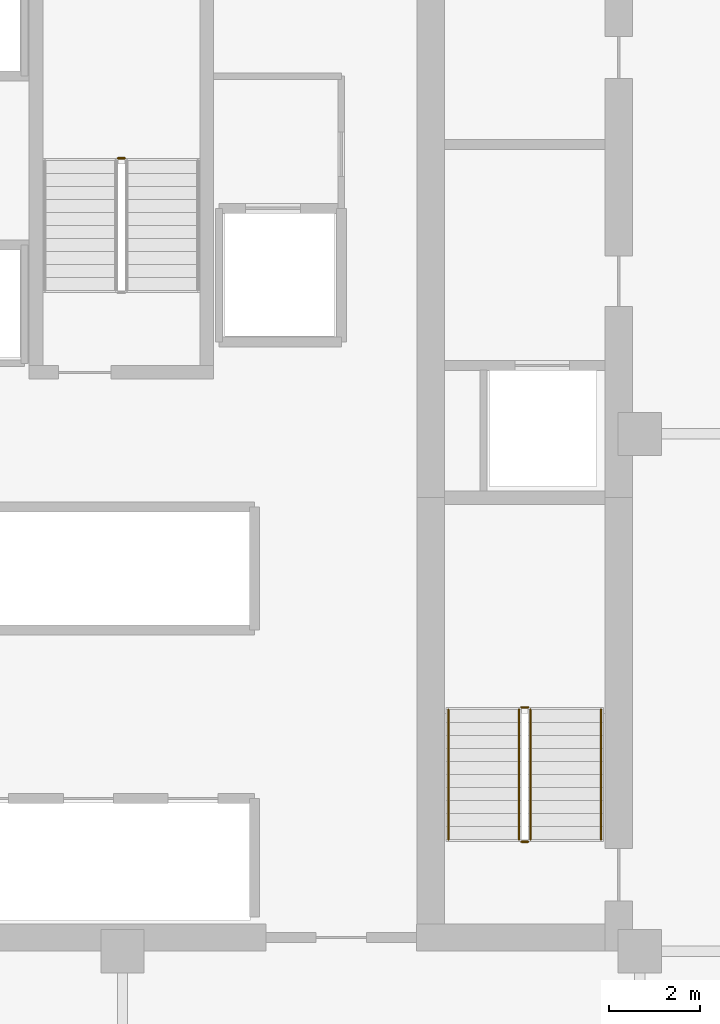
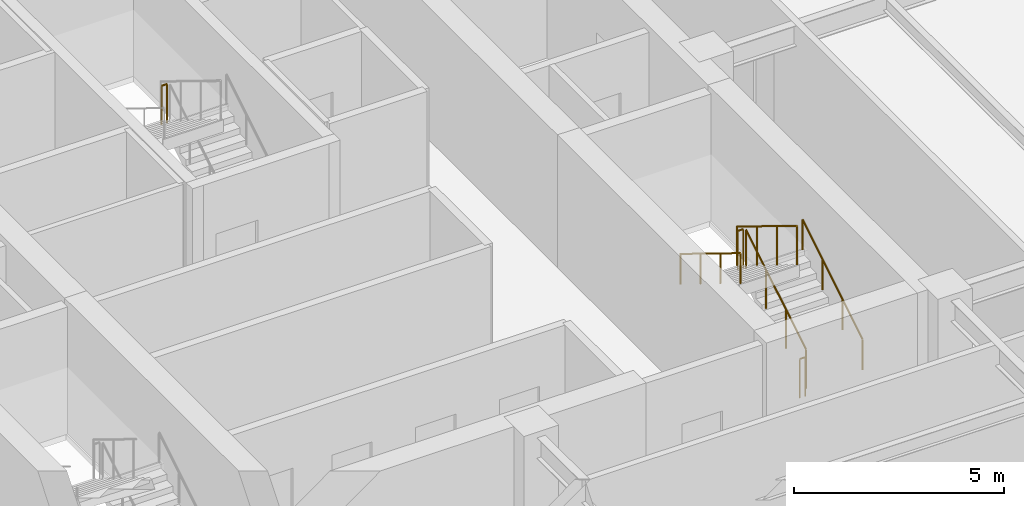
# One storey, part 11 of 11: 7 railings.
"""IFC4 building model written with IfcOpenShell, lengths in metres."""

from ifc_helpers import new_model, si_unit, direction, frame, origin, origin_2d, place, context, subcontext, project, spatial, circle, extrude, material, type_object, element, save


model = new_model("IFC4")

# Units and contexts
model_context = context("Model", 3, precision=1e-05, world=origin(), true_north=direction((0.0, 1.0)))
body_context = subcontext(model_context, "Body", "Model", "MODEL_VIEW")
ifc_project = project(units=[si_unit("LENGTHUNIT", "METRE"), si_unit("AREAUNIT", "SQUARE_METRE"), si_unit("VOLUMEUNIT", "CUBIC_METRE"), si_unit("PLANEANGLEUNIT", "RADIAN"), si_unit("MASSUNIT", "GRAM", prefix="KILO")], contexts=[model_context])

# Site, building, storey
site_placement = place(None, origin())
site = spatial("IfcSite", under=ifc_project, at=site_placement, CompositionType="ELEMENT")
building_placement = place(site_placement, origin())
building = spatial("IfcBuilding", under=site, at=building_placement, Name="Nhamokura Convention Tower", CompositionType="ELEMENT")
storey_placement = place(building_placement, frame((0.0, 0.0, 168.35009765625)))
storey = spatial("IfcBuildingStorey", under=building, at=storey_placement, Name="L41", CompositionType="ELEMENT", Elevation=168.35009765625)

# Railings
ifc_material_1 = material(Name="Anodised bronze stainless steel", Category="steel")
railing_type_1 = type_object("IfcRailingType", Name="StairWallHandrail_900", PredefinedType="HANDRAIL", material=ifc_material_1)
railing_1_placement = place(storey_placement, frame((42.5, 23.10009765625, 0.1748046875)))
element("IfcRailing", 1, at=railing_1_placement, inside=storey, type_object=railing_type_1, Name="L41 ST-02 stair handrail 1", PredefinedType="HANDRAIL", context=body_context, shape_type="SweptSolid", body=[
    extrude(circle(Radius=0.02392578125, at=origin_2d()), frame((0.0, 0.0, 0.8759765625), z_axis=(0.0, 0.852159232446, 0.523282564737), x_axis=(-1.0, 0.0, 0.0)), (0.0, 0.0, 1.0), 3.34423828125),
    extrude(circle(Radius=0.02099609375, at=origin_2d()), origin(), (0.0, 0.0, 1.0), 0.851806640625),
    extrude(circle(Radius=0.02099609375, at=origin_2d()), frame((0.0, 0.949951171875, 0.583251953125)), (0.0, 0.0, 1.0), 0.851806640625),
    extrude(circle(Radius=0.02099609375, at=origin_2d()), frame((0.0, 1.89990234375, 1.166748046875)), (0.0, 0.0, 1.0), 0.851806640625),
    extrude(circle(Radius=0.02099609375, at=origin_2d()), frame((0.0, 2.849853515625, 1.75)), (0.0, 0.0, 1.0), 0.851806640625),
])
railing_2_placement = place(storey_placement, frame((39.14990234375, 25.949951171875, 2.099853515625)))
element("IfcRailing", 2, at=railing_2_placement, inside=storey, type_object=railing_type_1, Name="L41 ST-02 stair handrail 2", PredefinedType="HANDRAIL", context=body_context, shape_type="SweptSolid", body=[
    extrude(circle(Radius=0.02392578125, at=origin_2d()), frame((0.0, 0.0, 0.8759765625), z_axis=(0.0, -0.852159232446, 0.523282564737), x_axis=(1.0, 0.0, 0.0)), (0.0, 0.0, 1.0), 3.34423828125),
    extrude(circle(Radius=0.02099609375, at=origin_2d()), origin(), (0.0, 0.0, 1.0), 0.851806640625),
    extrude(circle(Radius=0.02099609375, at=origin_2d()), frame((0.0, -0.949951171875, 0.583251953125)), (0.0, 0.0, 1.0), 0.851806640625),
    extrude(circle(Radius=0.02099609375, at=origin_2d()), frame((0.0, -1.89990234375, 1.166748046875)), (0.0, 0.0, 1.0), 0.851806640625),
    extrude(circle(Radius=0.02099609375, at=origin_2d()), frame((0.0, -2.849853515625, 1.75)), (0.0, 0.0, 1.0), 0.851806640625),
])
ifc_material_2 = material(Name="Painted tubular steel", Category="steel")
railing_type_2 = type_object("IfcRailingType", Name="StairWellGuardrail_1150", PredefinedType="GUARDRAIL", material=ifc_material_2)
railing_3_placement = place(storey_placement, frame((40.949951171875, 23.10009765625, 0.1748046875)))
element("IfcRailing", 3, at=railing_3_placement, inside=storey, type_object=railing_type_2, Name="L41 ST-02 stair guard 1", PredefinedType="GUARDRAIL", context=body_context, shape_type="SweptSolid", body=[
    extrude(circle(Radius=0.02392578125, at=origin_2d()), frame((0.0, 0.0, 1.1259765625), z_axis=(0.0, 0.852159232446, 0.523282564737), x_axis=(-1.0, 0.0, 0.0)), (0.0, 0.0, 1.0), 3.34423828125),
    extrude(circle(Radius=0.02099609375, at=origin_2d()), origin(), (0.0, 0.0, 1.0), 1.101806640625),
    extrude(circle(Radius=0.02099609375, at=origin_2d()), frame((0.0, 0.949951171875, 0.583251953125)), (0.0, 0.0, 1.0), 1.101806640625),
    extrude(circle(Radius=0.02099609375, at=origin_2d()), frame((0.0, 1.89990234375, 1.166748046875)), (0.0, 0.0, 1.0), 1.101806640625),
    extrude(circle(Radius=0.02099609375, at=origin_2d()), frame((0.0, 2.849853515625, 1.75)), (0.0, 0.0, 1.0), 1.101806640625),
])
railing_4_placement = place(storey_placement, frame((40.89990234375, 26.0, 1.9248046875)))
element("IfcRailing", 4, at=railing_4_placement, inside=storey, type_object=railing_type_2, Name="L41 ST-02 stair guard 2", PredefinedType="GUARDRAIL", context=body_context, shape_type="SweptSolid", body=[
    extrude(circle(Radius=0.02392578125, at=origin_2d()), frame((0.0, 0.0, 1.1259765625), z_axis=(-1.0, 0.0, 0.0), x_axis=(0.0, -1.0, 0.0)), (0.0, 0.0, 1.0), 0.14990234375),
    extrude(circle(Radius=0.02099609375, at=origin_2d()), origin(), (0.0, 0.0, 1.0), 1.101806640625),
    extrude(circle(Radius=0.02099609375, at=origin_2d()), frame((-0.14990234375, 0.0, 0.0)), (0.0, 0.0, 1.0), 1.101806640625),
])
railing_5_placement = place(storey_placement, frame((40.699951171875, 25.949951171875, 2.099853515625)))
element("IfcRailing", 5, at=railing_5_placement, inside=storey, type_object=railing_type_2, Name="L41 ST-02 stair guard 3", PredefinedType="GUARDRAIL", context=body_context, shape_type="SweptSolid", body=[
    extrude(circle(Radius=0.02392578125, at=origin_2d()), frame((0.0, 0.0, 1.1259765625), z_axis=(0.0, -0.852159232446, 0.523282564737), x_axis=(1.0, 0.0, 0.0)), (0.0, 0.0, 1.0), 3.34423828125),
    extrude(circle(Radius=0.02099609375, at=origin_2d()), origin(), (0.0, 0.0, 1.0), 1.101806640625),
    extrude(circle(Radius=0.02099609375, at=origin_2d()), frame((0.0, -0.949951171875, 0.583251953125)), (0.0, 0.0, 1.0), 1.101806640625),
    extrude(circle(Radius=0.02099609375, at=origin_2d()), frame((0.0, -1.89990234375, 1.166748046875)), (0.0, 0.0, 1.0), 1.101806640625),
    extrude(circle(Radius=0.02099609375, at=origin_2d()), frame((0.0, -2.849853515625, 1.75)), (0.0, 0.0, 1.0), 1.101806640625),
])
railing_6_placement = place(storey_placement, frame((40.89990234375, 23.050048828125, 0.0)))
element("IfcRailing", 6, at=railing_6_placement, inside=storey, type_object=railing_type_2, Name="L41 ST-02 stair guard 4", PredefinedType="GUARDRAIL", context=body_context, shape_type="SweptSolid", body=[
    extrude(circle(Radius=0.02392578125, at=origin_2d()), frame((0.0, 0.0, 1.1259765625), z_axis=(-1.0, 0.0, 0.0), x_axis=(0.0, -1.0, 0.0)), (0.0, 0.0, 1.0), 0.14990234375),
    extrude(circle(Radius=0.02099609375, at=origin_2d()), origin(), (0.0, 0.0, 1.0), 1.101806640625),
    extrude(circle(Radius=0.02099609375, at=origin_2d()), frame((-0.14990234375, 0.0, 0.0)), (0.0, 0.0, 1.0), 1.101806640625),
])
railing_7_placement = place(storey_placement, frame((32.050048828125, 38.050048828125, 1.9248046875)))
element("IfcRailing", 7, at=railing_7_placement, inside=storey, type_object=railing_type_2, Name="L41 ST-03 stair guard 2", PredefinedType="GUARDRAIL", context=body_context, shape_type="SweptSolid", body=[
    extrude(circle(Radius=0.02392578125, at=origin_2d()), frame((0.0, 0.0, 1.1259765625), z_axis=(-1.0, 0.0, 0.0), x_axis=(0.0, -1.0, 0.0)), (0.0, 0.0, 1.0), 0.150146484375),
    extrude(circle(Radius=0.02099609375, at=origin_2d()), origin(), (0.0, 0.0, 1.0), 1.101806640625),
    extrude(circle(Radius=0.02099609375, at=origin_2d()), frame((-0.150146484375, 0.0, 0.0)), (0.0, 0.0, 1.0), 1.101806640625),
])

save(model, "model.ifc")
